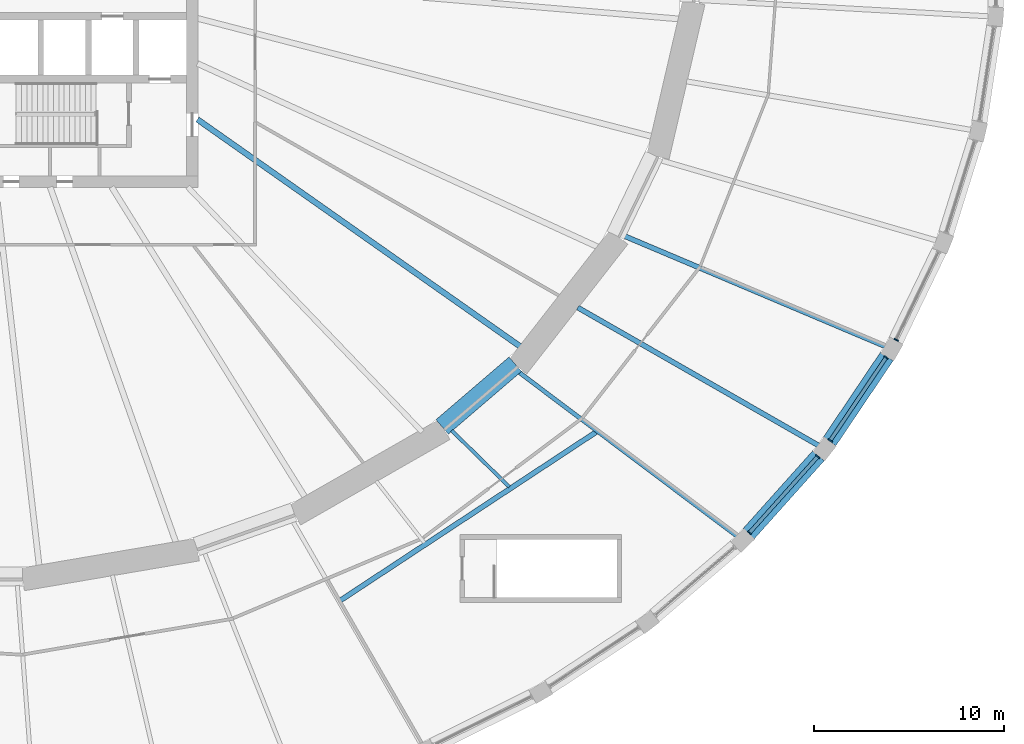
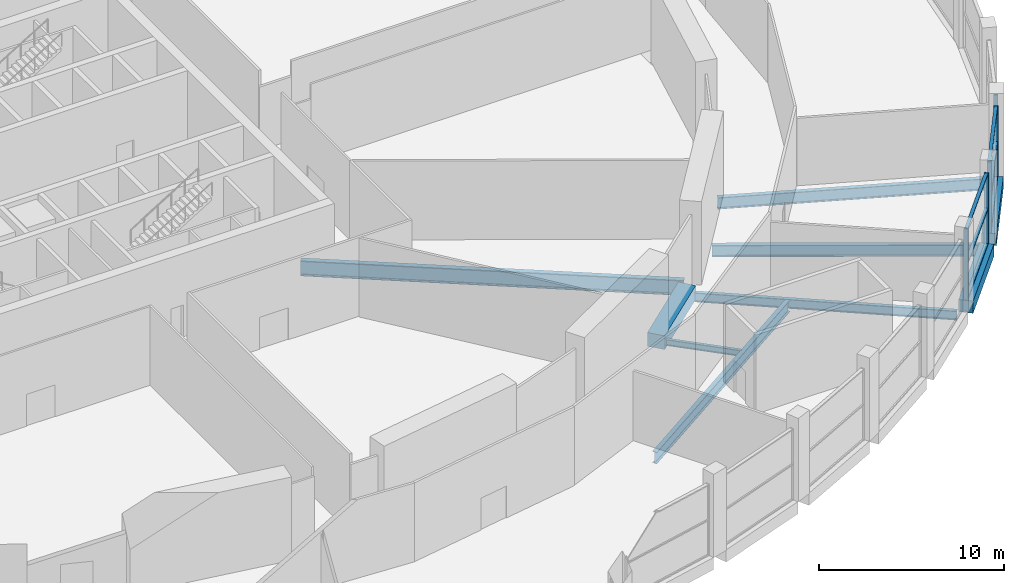
# One storey, part 8 of 26: 11 members, 9 beams, 3 elements without a shape of their own.
"""IFC4 building model written with IfcOpenShell, lengths in metres."""

import ifcopenshell
import ifcopenshell.guid

model = None  # the IFC model being written
_history = None  # IfcOwnerHistory: only IFC2X3 demands one
_inside = {}  # id of a spatial element -> (the spatial element, [elements in it])
_under = {}  # id of a project, library or spatial element -> (it, [spatial elements below it])
_declared = {}  # id of a project -> (the project, [libraries it declares])
_typed = {}  # id of a type object -> (the type object, [elements of that type])
_made_of = {}  # id of a material, layer set ... -> (it, [elements and type objects made of it])


def new_model(schema):
    """Start an empty IFC model of exactly this schema.

    Asked for "IFC4X3", IfcOpenShell would pick the latest addendum, in which some entities
    have other attributes; the version numbers below select the first issue.
    IFC2X3 requires an IfcOwnerHistory on every rooted entity: one is made here for all.
    """
    global model, _history
    if schema == "IFC4X3":
        model = ifcopenshell.file(schema_version=(4, 3, 0, 0))
    else:
        model = ifcopenshell.file(schema=schema)
    _inside.clear()
    _under.clear()
    _declared.clear()
    _typed.clear()
    _made_of.clear()
    _history = None
    if model.schema == "IFC2X3":
        org = make("IfcOrganization", Name="unknown")
        user = make(
            "IfcPersonAndOrganization",
            ThePerson=make("IfcPerson", FamilyName="unknown"),
            TheOrganization=org,
        )
        app = make(
            "IfcApplication",
            ApplicationDeveloper=org,
            Version="unknown",
            ApplicationFullName="unknown",
            ApplicationIdentifier="unknown",
        )
        _history = make(
            "IfcOwnerHistory",
            OwningUser=user,
            OwningApplication=app,
            ChangeAction="ADDED",
            CreationDate=0,
        )
    return model


def make(cls, **values):
    """One entity of the class cls with the attributes given. An attribute that is None is left unset."""
    return model.create_entity(
        cls, **{name: value for name, value in values.items() if value is not None}
    )


def rooted(cls, **values):
    """An entity with a GlobalId (a new one), such as an element, a storey or a relation."""
    return make(cls, GlobalId=ifcopenshell.guid.new(), OwnerHistory=_history, **values)


def si_unit(unit_type, name, prefix=None):
    """IfcSIUnit, for example si_unit("LENGTHUNIT", "METRE", prefix="MILLI")."""
    return make("IfcSIUnit", UnitType=unit_type, Prefix=prefix, Name=name)


def assignment(units):
    """IfcUnitAssignment: the units of a project."""
    return None if units is None else make("IfcUnitAssignment", Units=units)


def point(xyz):
    """IfcCartesianPoint."""
    return None if xyz is None else make("IfcCartesianPoint", Coordinates=xyz)


def direction(xyz):
    """IfcDirection."""
    return None if xyz is None else make("IfcDirection", DirectionRatios=xyz)


def frame(location, z_axis=None, x_axis=None):
    """IfcAxis2Placement3D, a coordinate frame: its origin and axes. An axis left out is left unset."""
    return make(
        "IfcAxis2Placement3D",
        Location=point(location),
        Axis=direction(z_axis),
        RefDirection=direction(x_axis),
    )


def frame_2d(location, x_axis=None):
    """IfcAxis2Placement2D, a coordinate frame in the plane: its origin and x axis."""
    return make(
        "IfcAxis2Placement2D", Location=point(location), RefDirection=direction(x_axis)
    )


def origin():
    """The frame at (0, 0, 0) with its axes left unset."""
    return frame((0.0, 0.0, 0.0))


def origin_2d():
    """The frame at (0, 0) in the plane with its x axis left unset."""
    return frame_2d((0.0, 0.0))


def place(relative_to, where):
    """IfcLocalPlacement: puts the frame where relative to a parent placement (None: the world)."""
    return make(
        "IfcLocalPlacement", PlacementRelTo=relative_to, RelativePlacement=where
    )


def context(
    kind, dimensions, precision=None, world=None, true_north=None, identifier=None
):
    """IfcGeometricRepresentationContext, for example the 3D "Model" context."""
    return make(
        "IfcGeometricRepresentationContext",
        ContextIdentifier=identifier,
        ContextType=kind,
        CoordinateSpaceDimension=dimensions,
        Precision=precision,
        WorldCoordinateSystem=world,
        TrueNorth=true_north,
    )


def subcontext(parent, identifier, kind, view, scale=None):
    """IfcGeometricRepresentationSubContext, for example "Body" below "Model"."""
    return make(
        "IfcGeometricRepresentationSubContext",
        ContextIdentifier=identifier,
        ContextType=kind,
        ParentContext=parent,
        TargetScale=scale,
        TargetView=view,
    )


def project(units=None, contexts=None):
    """IfcProject with its units and contexts."""
    return rooted(
        "IfcProject",
        Name="project",
        RepresentationContexts=contexts,
        UnitsInContext=assignment(units),
    )


def spatial(cls, under=None, at=None, **own):
    """A site, building, storey or space (cls), placed at a placement, below another one or the project."""
    s = rooted(cls, ObjectPlacement=at, **own)
    if under is not None:
        _under.setdefault(under.id(), (under, []))[1].append(s)
    return s


def profile(cls, at=None, kind="AREA", **sizes):
    """A parametric profile (cls). Its sizes go by their IFC names, for example OverallWidth=200.0."""
    return make(cls, ProfileType=kind, Position=at, **sizes)


def rectangle(**sizes):
    """IfcRectangleProfileDef."""
    return profile("IfcRectangleProfileDef", **sizes)


def i_section(**sizes):
    """IfcIShapeProfileDef."""
    return profile("IfcIShapeProfileDef", **sizes)


def extrude(swept, where, along, depth):
    """IfcExtrudedAreaSolid: the profile swept, set in the frame where, extruded along a direction by depth."""
    return make(
        "IfcExtrudedAreaSolid",
        SweptArea=swept,
        Position=where,
        ExtrudedDirection=direction(along),
        Depth=depth,
    )


def shape(context_of_items, identifier, shape_type, items):
    """IfcShapeRepresentation: the items that make up one representation, for example the "Body"."""
    return make(
        "IfcShapeRepresentation",
        ContextOfItems=context_of_items,
        RepresentationIdentifier=identifier,
        RepresentationType=shape_type,
        Items=items,
    )


def material(Name=None, Category=None):
    """IfcMaterial."""
    return make("IfcMaterial", Name=Name, Category=Category)


def material_profile(
    of_material, cross_section, Name=None, Category=None, Priority=None
):
    """IfcMaterialProfile: a cross section and its material."""
    return make(
        "IfcMaterialProfile",
        Name=Name,
        Material=of_material,
        Profile=cross_section,
        Priority=Priority,
        Category=Category,
    )


def profile_set(profiles, Name=None, composite=None):
    """IfcMaterialProfileSet."""
    return make(
        "IfcMaterialProfileSet",
        Name=Name,
        MaterialProfiles=profiles,
        CompositeProfile=composite,
    )


def made_of(thing, what):
    """Note that an element or type object is made of a material, layer set ...; save() writes the relation."""
    if what is not None:
        _made_of.setdefault(what.id(), (what, []))[1].append(thing)
    return thing


def type_object(cls, material=None, **own):
    """A type object (cls), such as IfcWallType, which elements share."""
    return made_of(rooted(cls, **own), material)


def element(
    cls,
    number,
    at=None,
    inside=None,
    cuts=None,
    type_object=None,
    material=None,
    context=None,
    identifier="Body",
    shape_type=None,
    held_by="IfcProductDefinitionShape",
    body=None,
    shapes=None,
    **own,
):
    """One element of the class cls, such as IfcWall. Its Tag is "e" and its number.

    at: its placement. inside: the storey or other place that contains it. cuts: it is an
    opening in that element (IfcRelVoidsElement). A single representation is given by context,
    identifier, shape_type and body (its items); several are given by shapes. held_by: the class
    of the entity that holds the representations. save() writes the other relations.
    """
    e = rooted(cls, Tag="e%d" % number, ObjectPlacement=at, **own)
    if body is not None:
        shapes = [shape(context, identifier, shape_type, body)]
    if shapes is not None:
        e.Representation = make(held_by, Representations=shapes)
    if inside is not None:
        _inside.setdefault(inside.id(), (inside, []))[1].append(e)
    if cuts is not None:
        rooted(
            "IfcRelVoidsElement", RelatingBuildingElement=cuts, RelatedOpeningElement=e
        )
    if type_object is not None:
        _typed.setdefault(type_object.id(), (type_object, []))[1].append(e)
    return made_of(e, material)


def aggregate(whole, parts):
    """IfcRelAggregates: a whole, such as a stair, and the parts it consists of."""
    return rooted("IfcRelAggregates", RelatingObject=whole, RelatedObjects=parts)


def save(model, path):
    """Write the relations noted so far, then the file.

    IfcRelAggregates (storeys below a building ...), IfcRelContainedInSpatialStructure (elements
    in a storey), IfcRelDefinesByType, IfcRelAssociatesMaterial and IfcRelDeclares: one each for
    every whole, place, type object, material and project.
    """
    for whole, parts in _under.values():
        aggregate(whole, parts)
    for where, things in _inside.values():
        rooted(
            "IfcRelContainedInSpatialStructure",
            RelatedElements=things,
            RelatingStructure=where,
        )
    for kind, things in _typed.values():
        rooted("IfcRelDefinesByType", RelatedObjects=things, RelatingType=kind)
    for what, things in _made_of.values():
        rooted("IfcRelAssociatesMaterial", RelatedObjects=things, RelatingMaterial=what)
    for by, libraries in _declared.values():
        rooted("IfcRelDeclares", RelatingContext=by, RelatedDefinitions=libraries)
    model.write(path)


model = new_model("IFC4")

# Units and contexts
model_context = context("Model", 3, precision=1e-05, world=origin(), true_north=direction((0.0, 1.0)))
body_context = subcontext(model_context, "Body", "Model", "MODEL_VIEW")
ifc_project = project(units=[si_unit("LENGTHUNIT", "METRE"), si_unit("AREAUNIT", "SQUARE_METRE"), si_unit("VOLUMEUNIT", "CUBIC_METRE"), si_unit("PLANEANGLEUNIT", "RADIAN"), si_unit("MASSUNIT", "GRAM", prefix="KILO")], contexts=[model_context])

# Site, building, storey
site_placement = place(None, origin())
site = spatial("IfcSite", under=ifc_project, at=site_placement, CompositionType="ELEMENT")
building_placement = place(site_placement, origin())
building = spatial("IfcBuilding", under=site, at=building_placement, Name="Halqa Exchange Tower", CompositionType="ELEMENT")
storey_placement = place(building_placement, frame((0.0, 0.0, 18.0)))
storey = spatial("IfcBuildingStorey", under=building, at=storey_placement, Name="L03", CompositionType="ELEMENT", Elevation=18.0)

# Curtain wall, members
ifc_material_1 = material(Name="Anodised aluminium and clear glass", Category="aluminium")
curtain_wall_type = type_object("IfcCurtainWallType", Name="Exchange hall glazing", PredefinedType="NOTDEFINED", material=ifc_material_1)
curtain_wall_1_placement = place(storey_placement, origin())
curtain_wall_1 = element("IfcCurtainWall", 1, at=curtain_wall_1_placement, inside=storey, type_object=curtain_wall_type, Name="Exchange hall glazing run P43", PredefinedType="NOTDEFINED")
ifc_material_2 = material(Name="Anodised aluminium", Category="aluminium")
ifc_material_profile_1 = material_profile(ifc_material_2, rectangle(XDim=0.25, YDim=0.070068359375, at=origin_2d()), Name="AL 70x250")
ifc_profile_set_1 = profile_set([ifc_material_profile_1], Name="Anodised aluminium")
member_type_1 = type_object("IfcMemberType", Name="Exchange hall glazing mullion 70 x 250", PredefinedType="MULLION", material=ifc_profile_set_1)
member_1_placement = place(storey_placement, frame((40.9560546875, -30.12890625, 0.0), z_axis=(0.0, 0.0, 1.0), x_axis=(-0.74514769466, 0.666899477539, 0.0)))
member_1 = element("IfcMember", 2, at=member_1_placement, type_object=member_type_1, Name="P43 mullion 1", PredefinedType="MULLION", context=body_context, shape_type="SweptSolid", body=[
    extrude(rectangle(XDim=0.25, YDim=0.070068359375, at=origin_2d()), origin(), (0.0, 0.0, 1.0), 4.699951171875),
])
member_2_placement = place(storey_placement, frame((44.542724609375, -26.12158203125, 0.0), z_axis=(0.0, 0.0, 1.0), x_axis=(-0.74514769466, 0.666899477539, 0.0)))
member_2 = element("IfcMember", 3, at=member_2_placement, type_object=member_type_1, Name="P43 mullion 2", PredefinedType="MULLION", context=body_context, shape_type="SweptSolid", body=[
    extrude(rectangle(XDim=0.25, YDim=0.070068359375, at=origin_2d()), origin(), (0.0, 0.0, 1.0), 4.699951171875),
])

curtain_wall_2_placement = place(storey_placement, origin())
curtain_wall_2 = element("IfcCurtainWall", 4, at=curtain_wall_2_placement, inside=storey, type_object=curtain_wall_type, Name="Exchange hall glazing run P44", PredefinedType="NOTDEFINED")
member_3_placement = place(storey_placement, frame((45.1982421875, -25.279052734375, 0.0), z_axis=(0.0, 0.0, 1.0), x_axis=(-0.8294895023, 0.55852230535, 0.0)))
member_3 = element("IfcMember", 5, at=member_3_placement, type_object=member_type_1, Name="P44 mullion 1", PredefinedType="MULLION", context=body_context, shape_type="SweptSolid", body=[
    extrude(rectangle(XDim=0.25, YDim=0.070068359375, at=origin_2d()), origin(), (0.0, 0.0, 1.0), 4.699951171875),
])
member_4_placement = place(storey_placement, frame((48.13232421875, -20.921630859375, 0.0), z_axis=(0.0, 0.0, 1.0), x_axis=(-0.8294895023, 0.55852230535, 0.0)))
member_4 = element("IfcMember", 6, at=member_4_placement, type_object=member_type_1, Name="P44 mullion 2", PredefinedType="MULLION", context=body_context, shape_type="SweptSolid", body=[
    extrude(rectangle(XDim=0.25, YDim=0.070068359375, at=origin_2d()), origin(), (0.0, 0.0, 1.0), 4.699951171875),
])

# Curtain wall, member
curtain_wall_3_placement = place(storey_placement, origin())
curtain_wall_3 = element("IfcCurtainWall", 7, at=curtain_wall_3_placement, inside=storey, type_object=curtain_wall_type, Name="Exchange hall glazing run P45", PredefinedType="NOTDEFINED")
member_5_placement = place(storey_placement, frame((48.663818359375, -19.996337890625, 0.0), z_axis=(0.0, 0.0, 1.0), x_axis=(-0.90043534892, 0.434989864727, 0.0)))
member_5 = element("IfcMember", 8, at=member_5_placement, type_object=member_type_1, Name="P45 mullion 1", PredefinedType="MULLION", context=body_context, shape_type="SweptSolid", body=[
    extrude(rectangle(XDim=0.25, YDim=0.070068359375, at=origin_2d()), origin(), (0.0, 0.0, 1.0), 4.699951171875),
])
aggregate(curtain_wall_3, [member_5])

# Member
ifc_material_profile_2 = material_profile(ifc_material_2, rectangle(XDim=0.199951171875, YDim=0.070068359375, at=origin_2d()), Name="AL 70x200")
ifc_profile_set_2 = profile_set([ifc_material_profile_2], Name="Anodised aluminium")
member_type_2 = type_object("IfcMemberType", Name="Exchange hall glazing transom 70 x 200", PredefinedType="USERDEFINED", material=ifc_profile_set_2)
member_6_placement = place(storey_placement, frame((40.9794921875, -30.10302734375, 0.034912109375), z_axis=(0.666880900978, 0.745164320074, 0.0), x_axis=(-0.745164320074, 0.666880900978, 0.0)))
member_6 = element("IfcMember", 9, at=member_6_placement, type_object=member_type_2, Name="P43 transom 1.1", ObjectType="TRANSOM", PredefinedType="USERDEFINED", context=body_context, shape_type="SweptSolid", body=[
    extrude(rectangle(XDim=0.199951171875, YDim=0.070068359375, at=origin_2d()), origin(), (0.0, 0.0, 1.0), 5.30810546875),
])

member_7_placement = place(storey_placement, frame((40.9794921875, -30.10302734375, 2.35009765625), z_axis=(0.666880900978, 0.745164320074, 0.0), x_axis=(-0.745164320074, 0.666880900978, 0.0)))
member_7 = element("IfcMember", 10, at=member_7_placement, type_object=member_type_2, Name="P43 transom 1.2", ObjectType="TRANSOM", PredefinedType="USERDEFINED", context=body_context, shape_type="SweptSolid", body=[
    extrude(rectangle(XDim=0.199951171875, YDim=0.070068359375, at=origin_2d()), origin(), (0.0, 0.0, 1.0), 5.30810546875),
])

member_8_placement = place(storey_placement, frame((40.9794921875, -30.10302734375, 4.6650390625), z_axis=(0.666880900978, 0.745164320074, 0.0), x_axis=(-0.745164320074, 0.666880900978, 0.0)))
member_8 = element("IfcMember", 11, at=member_8_placement, type_object=member_type_2, Name="P43 transom 1.3", ObjectType="TRANSOM", PredefinedType="USERDEFINED", context=body_context, shape_type="SweptSolid", body=[
    extrude(rectangle(XDim=0.199951171875, YDim=0.070068359375, at=origin_2d()), origin(), (0.0, 0.0, 1.0), 5.30810546875),
])

aggregate(curtain_wall_1, [member_1, member_2, member_6, member_7, member_8])

member_9_placement = place(storey_placement, frame((45.2177734375, -25.250244140625, 0.034912109375), z_axis=(0.558520359636, 0.82949081241, 0.0), x_axis=(-0.82949081241, 0.558520359636, 0.0)))
member_9 = element("IfcMember", 12, at=member_9_placement, type_object=member_type_2, Name="P44 transom 1.1", ObjectType="TRANSOM", PredefinedType="USERDEFINED", context=body_context, shape_type="SweptSolid", body=[
    extrude(rectangle(XDim=0.199951171875, YDim=0.070068359375, at=origin_2d()), origin(), (0.0, 0.0, 1.0), 5.183349609375),
])

member_10_placement = place(storey_placement, frame((45.2177734375, -25.250244140625, 2.35009765625), z_axis=(0.558520359636, 0.82949081241, 0.0), x_axis=(-0.82949081241, 0.558520359636, 0.0)))
member_10 = element("IfcMember", 13, at=member_10_placement, type_object=member_type_2, Name="P44 transom 1.2", ObjectType="TRANSOM", PredefinedType="USERDEFINED", context=body_context, shape_type="SweptSolid", body=[
    extrude(rectangle(XDim=0.199951171875, YDim=0.070068359375, at=origin_2d()), origin(), (0.0, 0.0, 1.0), 5.183349609375),
])

member_11_placement = place(storey_placement, frame((45.2177734375, -25.250244140625, 4.6650390625), z_axis=(0.558520359636, 0.82949081241, 0.0), x_axis=(-0.82949081241, 0.558520359636, 0.0)))
member_11 = element("IfcMember", 14, at=member_11_placement, type_object=member_type_2, Name="P44 transom 1.3", ObjectType="TRANSOM", PredefinedType="USERDEFINED", context=body_context, shape_type="SweptSolid", body=[
    extrude(rectangle(XDim=0.199951171875, YDim=0.070068359375, at=origin_2d()), origin(), (0.0, 0.0, 1.0), 5.183349609375),
])

aggregate(curtain_wall_2, [member_3, member_4, member_9, member_10, member_11])

# Beams
ifc_material_3 = material(Name="Steel S355", Category="steel")
ifc_material_profile_3 = material_profile(ifc_material_3, i_section(OverallWidth=0.300048828125, OverallDepth=1.0, WebThickness=0.01904296875, FlangeThickness=0.035888671875, FilletRadius=0.030029296875, at=origin_2d()), Name="HEB 1000")
ifc_profile_set_3 = profile_set([ifc_material_profile_3], Name="Steel S355")
beam_type_1 = type_object("IfcBeamType", Name="Floor beam HEB 1000", PredefinedType="BEAM", material=ifc_profile_set_3)
beam_1_placement = place(storey_placement, frame((11.972412109375, -8.421875, -0.85009765625), z_axis=(0.817909911418, -0.575346310325, 0.0), x_axis=(0.575346310325, 0.817909911418, 0.0)))
element("IfcBeam", 15, at=beam_1_placement, inside=storey, type_object=beam_type_1, Name="Radial beam 29", PredefinedType="BEAM", context=body_context, shape_type="SweptSolid", body=[
    extrude(i_section(OverallWidth=0.300048828125, OverallDepth=1.0, WebThickness=0.01904296875, FlangeThickness=0.035888671875, FilletRadius=0.030029296875, at=origin_2d()), origin(), (0.0, 0.0, 1.0), 20.804443359375),
])
ifc_material_profile_4 = material_profile(ifc_material_3, i_section(OverallWidth=0.179931640625, OverallDepth=0.39990234375, WebThickness=0.008544921875, FlangeThickness=0.013427734375, FilletRadius=0.02099609375, at=origin_2d()), Name="IPE 400")
ifc_profile_set_4 = profile_set([ifc_material_profile_4], Name="Steel S355")
beam_type_2 = type_object("IfcBeamType", Name="Floor beam IPE 400", PredefinedType="BEAM", material=ifc_profile_set_4)
beam_2_placement = place(storey_placement, frame((25.322265625, -24.757080078125, -0.550048828125), z_axis=(0.715007310884, -0.699116975464, 0.0), x_axis=(0.699116975464, 0.715007310884, 0.0)))
element("IfcBeam", 16, at=beam_2_placement, inside=storey, type_object=beam_type_2, Name="Radial beam 42a", PredefinedType="BEAM", context=body_context, shape_type="SweptSolid", body=[
    extrude(i_section(OverallWidth=0.179931640625, OverallDepth=0.39990234375, WebThickness=0.008544921875, FlangeThickness=0.013427734375, FilletRadius=0.02099609375, at=origin_2d()), origin(), (0.0, 0.0, 1.0), 4.22509765625),
])
ifc_material_profile_5 = material_profile(ifc_material_3, i_section(OverallWidth=0.219970703125, OverallDepth=0.60009765625, WebThickness=0.011962890625, FlangeThickness=0.01904296875, FilletRadius=0.02392578125, at=origin_2d()), Name="IPE 600")
ifc_profile_set_5 = profile_set([ifc_material_profile_5], Name="Steel S355")
beam_type_3 = type_object("IfcBeamType", Name="Floor beam IPE 600", PredefinedType="BEAM", material=ifc_profile_set_5)
beam_3_placement = place(storey_placement, frame((28.875732421875, -21.71240234375, -0.64990234375), z_axis=(0.799257291391, -0.600989003359, 0.0), x_axis=(0.600989003359, 0.799257291391, 0.0)))
element("IfcBeam", 17, at=beam_3_placement, inside=storey, type_object=beam_type_3, Name="Radial beam 43", PredefinedType="BEAM", context=body_context, shape_type="SweptSolid", body=[
    extrude(i_section(OverallWidth=0.219970703125, OverallDepth=0.60009765625, WebThickness=0.011962890625, FlangeThickness=0.01904296875, FilletRadius=0.02392578125, at=origin_2d()), origin(), (0.0, 0.0, 1.0), 14.291259765625),
])
ifc_material_profile_6 = material_profile(ifc_material_3, i_section(OverallWidth=0.264892578125, OverallDepth=0.7529296875, WebThickness=0.01318359375, FlangeThickness=0.01708984375, FilletRadius=0.01708984375, at=origin_2d()), Name="IPE 750x147")
ifc_profile_set_6 = profile_set([ifc_material_profile_6], Name="Steel S355")
beam_type_4 = type_object("IfcBeamType", Name="Floor beam IPE 750x147", PredefinedType="BEAM", material=ifc_profile_set_6)
beam_4_placement = place(storey_placement, frame((31.942626953125, -18.300048828125, -0.7265625), z_axis=(0.867691436398, -0.497103179633, 0.0), x_axis=(0.497103179633, 0.867691436398, 0.0)))
element("IfcBeam", 18, at=beam_4_placement, inside=storey, type_object=beam_type_4, Name="Radial beam 44", PredefinedType="BEAM", context=body_context, shape_type="SweptSolid", body=[
    extrude(i_section(OverallWidth=0.264892578125, OverallDepth=0.7529296875, WebThickness=0.01318359375, FlangeThickness=0.01708984375, FilletRadius=0.01708984375, at=origin_2d()), origin(), (0.0, 0.0, 1.0), 14.555908203125),
])
beam_5_placement = place(storey_placement, frame((34.423583984375, -14.555419921875, -0.7265625), z_axis=(0.921054684963, -0.389433264254, 0.0), x_axis=(0.389433264254, 0.921054684963, 0.0)))
element("IfcBeam", 19, at=beam_5_placement, inside=storey, type_object=beam_type_4, Name="Radial beam 45", PredefinedType="BEAM", context=body_context, shape_type="SweptSolid", body=[
    extrude(i_section(OverallWidth=0.264892578125, OverallDepth=0.7529296875, WebThickness=0.01318359375, FlangeThickness=0.01708984375, FilletRadius=0.01708984375, at=origin_2d()), origin(), (0.0, 0.0, 1.0), 14.83349609375),
])
ifc_material_profile_7 = material_profile(ifc_material_3, i_section(OverallWidth=0.26806640625, OverallDepth=0.77001953125, WebThickness=0.015625, FlangeThickness=0.025390625, FilletRadius=0.01708984375, at=origin_2d()), Name="IPE 750x196")
ifc_profile_set_7 = profile_set([ifc_material_profile_7], Name="Steel S355")
beam_type_5 = type_object("IfcBeamType", Name="Floor beam IPE 750x196", PredefinedType="BEAM", material=ifc_profile_set_7)
beam_6_placement = place(storey_placement, frame((19.467041015625, -33.682373046875, -0.735107421875), z_axis=(0.835204203593, 0.54993994063, 0.0), x_axis=(-0.54993994063, 0.835204203593, 0.0)))
element("IfcBeam", 20, at=beam_6_placement, inside=storey, type_object=beam_type_5, Name="Radial beam TPS2-in", PredefinedType="BEAM", context=body_context, shape_type="SweptSolid", body=[
    extrude(i_section(OverallWidth=0.26806640625, OverallDepth=0.77001953125, WebThickness=0.015625, FlangeThickness=0.025390625, FilletRadius=0.01708984375, at=origin_2d()), origin(), (0.0, 0.0, 1.0), 16.07958984375),
])
ifc_material_4 = material(Name="Concrete C60/75", Category="concrete")
ifc_material_profile_8 = material_profile(ifc_material_4, rectangle(XDim=0.800048828125, YDim=0.800048828125, at=origin_2d()), Name="800 x 800")
ifc_profile_set_8 = profile_set([ifc_material_profile_8], Name="Concrete C60/75")
beam_type_6 = type_object("IfcBeamType", Name="RC podium edge beam 800 x 800 C60/75", PredefinedType="SPANDREL", material=ifc_profile_set_8)
beam_7_placement = place(storey_placement, frame((40.914794921875, -30.175048828125, -0.39990234375), z_axis=(0.666902525907, 0.745144966392, 0.0), x_axis=(-0.745144966392, 0.666902525907, 0.0)))
element("IfcBeam", 21, at=beam_7_placement, inside=storey, type_object=beam_type_6, Name="Podium edge beam 43", PredefinedType="SPANDREL", context=body_context, shape_type="SweptSolid", body=[
    extrude(rectangle(XDim=0.800048828125, YDim=0.800048828125, at=origin_2d()), origin(), (0.0, 0.0, 1.0), 5.501220703125),
])
beam_8_placement = place(storey_placement, frame((45.1630859375, -25.331298828125, -0.39990234375), z_axis=(0.558528358221, 0.829485426673, 0.0), x_axis=(-0.829485426673, 0.558528358221, 0.0)))
element("IfcBeam", 22, at=beam_8_placement, inside=storey, type_object=beam_type_6, Name="Podium edge beam 44", PredefinedType="SPANDREL", context=body_context, shape_type="SweptSolid", body=[
    extrude(rectangle(XDim=0.800048828125, YDim=0.800048828125, at=origin_2d()), origin(), (0.0, 0.0, 1.0), 5.378173828125),
])
ifc_material_profile_9 = material_profile(ifc_material_4, rectangle(XDim=1.0, YDim=0.89990234375, at=origin_2d()), Name="1000 x 900")
ifc_profile_set_9 = profile_set([ifc_material_profile_9], Name="Concrete C60/75")
beam_type_7 = type_object("IfcBeamType", Name="RC spandrel beam 1000 x 900 C60/75", PredefinedType="SPANDREL", material=ifc_profile_set_9)
beam_9_placement = place(storey_placement, frame((24.81982421875, -24.56689453125, -0.449951171875), z_axis=(0.759263417999, 0.650783421799, 0.0), x_axis=(-0.650783421799, 0.759263417999, 0.0)))
element("IfcBeam", 23, at=beam_9_placement, inside=storey, type_object=beam_type_7, Name="Spandrel 28", PredefinedType="SPANDREL", context=body_context, shape_type="SweptSolid", body=[
    extrude(rectangle(XDim=1.0, YDim=0.89990234375, at=origin_2d()), origin(), (0.0, 0.0, 1.0), 5.056884765625),
])

save(model, "model.ifc")
